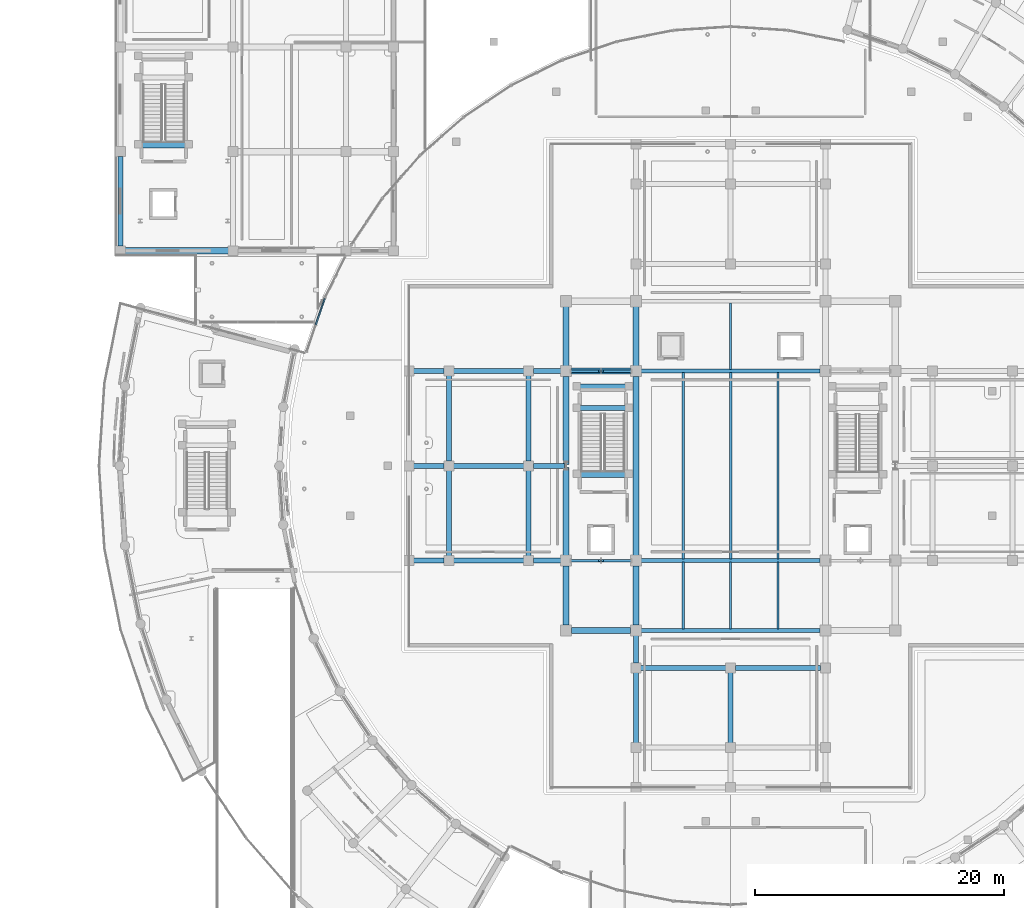
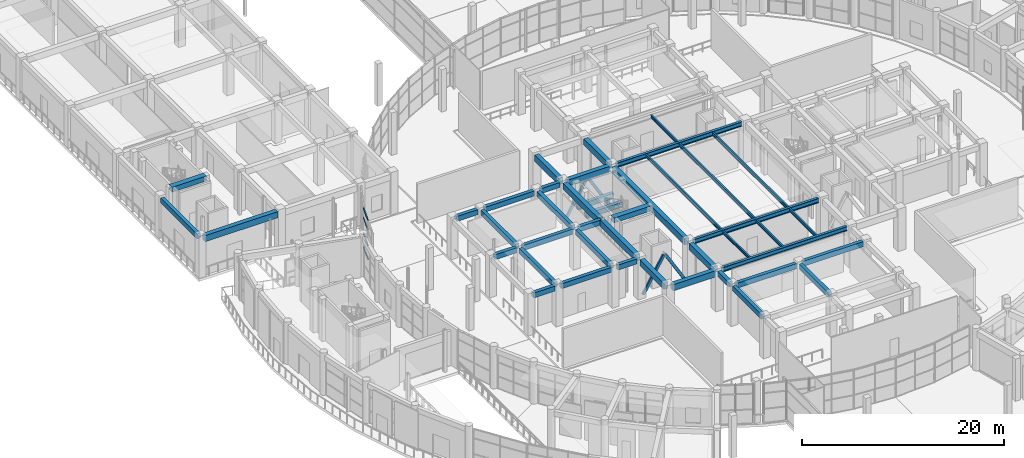
# One storey, part 34 of 99: 43 beams, 8 members, 1 element without a shape of its own.
"""IFC4 building model written with IfcOpenShell, lengths in metres."""

from ifc_helpers import new_model, si_unit, direction, frame, origin, origin_2d, place, context, subcontext, project, spatial, rectangle, hollow_rectangle, i_section, extrude, material, material_profile, profile_set, type_object, element, aggregate, save


model = new_model("IFC4")

# Units and contexts
model_context = context("Model", 3, precision=1e-05, world=origin(), true_north=direction((0.0, 1.0)))
body_context = subcontext(model_context, "Body", "Model", "MODEL_VIEW")
ifc_project = project(units=[si_unit("LENGTHUNIT", "METRE"), si_unit("AREAUNIT", "SQUARE_METRE"), si_unit("VOLUMEUNIT", "CUBIC_METRE"), si_unit("PLANEANGLEUNIT", "RADIAN"), si_unit("MASSUNIT", "GRAM", prefix="KILO")], contexts=[model_context])

# Site, building, storey
site_placement = place(None, origin())
site = spatial("IfcSite", under=ifc_project, at=site_placement, CompositionType="ELEMENT")
building_placement = place(site_placement, origin())
building = spatial("IfcBuilding", under=site, at=building_placement, Name="Saryqyr Civic Hall", CompositionType="ELEMENT")
storey_placement = place(building_placement, origin())
storey = spatial("IfcBuildingStorey", under=building, at=storey_placement, Name="L00", CompositionType="ELEMENT", Elevation=0.0)

# Curtain wall, members
ifc_material_1 = material(Name="Anodised aluminium and triple low-E glass", Category="aluminium")
curtain_wall_type = type_object("IfcCurtainWallType", Name="ENV-CW-STD-67", PredefinedType="NOTDEFINED", material=ifc_material_1)
curtain_wall_placement = place(storey_placement, origin())
curtain_wall = element("IfcCurtainWall", 1, at=curtain_wall_placement, inside=storey, type_object=curtain_wall_type, Name="Curtain wall V2-PERIM-CW-L00-21", PredefinedType="NOTDEFINED")
ifc_material_2 = material(Name="Anodised aluminium", Category="aluminium")
ifc_material_profile_1 = material_profile(ifc_material_2, rectangle(XDim=0.1201171875, YDim=0.06005859375, at=origin_2d()), Name="ALU TRANSOM 120x60")
ifc_profile_set_1 = profile_set([ifc_material_profile_1], Name="Anodised aluminium")
member_type_1 = type_object("IfcMemberType", Name="ENV-CW-TRN-150", PredefinedType="USERDEFINED", material=ifc_profile_set_1)
member_1_placement = place(storey_placement, frame((23.730224609375, 95.3251953125, 0.030029296875), z_axis=(0.321384650933, 0.946948734697, 0.0), x_axis=(-0.946948734697, 0.321384650933, 0.0)))
member_1 = element("IfcMember", 2, at=member_1_placement, type_object=member_type_1, Name="CW-67 transom 2.1", ObjectType="TRANSOM", PredefinedType="USERDEFINED", context=body_context, shape_type="SweptSolid", body=[
    extrude(rectangle(XDim=0.1201171875, YDim=0.06005859375, at=origin_2d()), origin(), (0.0, 0.0, 1.0), 2.213623046875),
])
member_2_placement = place(storey_placement, frame((23.730224609375, 95.3251953125, 1.7099609375), z_axis=(0.321384650933, 0.946948734697, 0.0), x_axis=(-0.946948734697, 0.321384650933, 0.0)))
member_2 = element("IfcMember", 3, at=member_2_placement, type_object=member_type_1, Name="CW-67 transom 2.2", ObjectType="TRANSOM", PredefinedType="USERDEFINED", context=body_context, shape_type="SweptSolid", body=[
    extrude(rectangle(XDim=0.1201171875, YDim=0.06005859375, at=origin_2d()), origin(), (0.0, 0.0, 1.0), 2.213623046875),
])
member_3_placement = place(storey_placement, frame((23.730224609375, 95.3251953125, 3.610107421875), z_axis=(0.321384650933, 0.946948734697, 0.0), x_axis=(-0.946948734697, 0.321384650933, 0.0)))
member_3 = element("IfcMember", 4, at=member_3_placement, type_object=member_type_1, Name="CW-67 transom 2.3", ObjectType="TRANSOM", PredefinedType="USERDEFINED", context=body_context, shape_type="SweptSolid", body=[
    extrude(rectangle(XDim=0.1201171875, YDim=0.06005859375, at=origin_2d()), origin(), (0.0, 0.0, 1.0), 2.213623046875),
])
member_4_placement = place(storey_placement, frame((23.730224609375, 95.3251953125, 4.719970703125), z_axis=(0.321384650933, 0.946948734697, 0.0), x_axis=(-0.946948734697, 0.321384650933, 0.0)))
member_4 = element("IfcMember", 5, at=member_4_placement, type_object=member_type_1, Name="CW-67 transom 2.4", ObjectType="TRANSOM", PredefinedType="USERDEFINED", context=body_context, shape_type="SweptSolid", body=[
    extrude(rectangle(XDim=0.1201171875, YDim=0.06005859375, at=origin_2d()), origin(), (0.0, 0.0, 1.0), 2.213623046875),
])
aggregate(curtain_wall, [member_1, member_2, member_3, member_4])

# Beams
ifc_material_3 = material(Name="Steel S355", Category="steel")
ifc_material_profile_2 = material_profile(ifc_material_3, i_section(OverallWidth=0.300048828125, OverallDepth=0.550048828125, WebThickness=0.014892578125, FlangeThickness=0.029052734375, at=origin_2d()), Name="HEB 550")
ifc_profile_set_2 = profile_set([ifc_material_profile_2], Name="Steel S355")
beam_type_1 = type_object("IfcBeamType", Name="STR-BM-HEB550", PredefinedType="BEAM", material=ifc_profile_set_2)
for number, where, z_axis, x_axis, name in (
    (6, (49.824951171875, 70.800048828125, 4.544921875), (1.0, 0.0, 0.0), (0.0, 1.0, 0.0), "Beam V1-GBM-EW1-L00"),
    (7, (49.824951171875, 76.39990234375, 4.544921875), (1.0, 0.0, 0.0), (0.0, 1.0, 0.0), "Beam V1-GBM-EW2-L00"),
    (8, (49.824951171875, 91.60009765625, 4.544921875), (1.0, 0.0, 0.0), (0.0, 1.0, 0.0), "Beam V1-GBM-EW3-L00"),
):
    element("IfcBeam", number, at=place(storey_placement, frame(where, z_axis=z_axis, x_axis=x_axis)), inside=storey, type_object=beam_type_1, Name=name, PredefinedType="BEAM", context=body_context, shape_type="SweptSolid", body=[
        extrude(i_section(OverallWidth=0.300048828125, OverallDepth=0.550048828125, WebThickness=0.014892578125, FlangeThickness=0.029052734375, at=origin_2d()), origin(), (0.0, 0.0, 1.0), 14.35009765625),
    ])
ifc_material_4 = material(Name="Concrete C35/45", Category="concrete")
ifc_material_profile_3 = material_profile(ifc_material_4, rectangle(XDim=0.39990234375, YDim=0.60009765625, at=origin_2d()), Name="RC 400x600")
ifc_profile_set_3 = profile_set([ifc_material_profile_3], Name="Concrete C35/45")
beam_type_2 = type_object("IfcBeamType", Name="STR-BM-RC400x600", PredefinedType="BEAM", material=ifc_profile_set_3)
for number, where, z_axis, x_axis, name in (
    (9, (31.574951171875, 76.39990234375, 4.52001953125), (1.0, 0.0, 0.0), (0.0, 1.0, 0.0), "Beam V1-TBM-01-L00"),
    (10, (31.574951171875, 84.0, 4.52001953125), (1.0, 0.0, 0.0), (0.0, 1.0, 0.0), "Beam V1-TBM-02-L00"),
    (11, (31.574951171875, 91.60009765625, 4.52001953125), (1.0, 0.0, 0.0), (0.0, 1.0, 0.0), "Beam V1-TBM-03-L00"),
):
    element("IfcBeam", number, at=place(storey_placement, frame(where, z_axis=z_axis, x_axis=x_axis)), inside=storey, type_object=beam_type_2, Name=name, PredefinedType="BEAM", context=body_context, shape_type="SweptSolid", body=[
        extrude(rectangle(XDim=0.39990234375, YDim=0.60009765625, at=origin_2d()), origin(), (0.0, 0.0, 1.0), 2.449951171875),
    ])
for number, where, z_axis, x_axis, name in (
    (12, (34.77490234375, 76.39990234375, 4.52001953125), (1.0, 0.0, 0.0), (0.0, 1.0, 0.0), "Beam V1-TBM-21-L00"),
    (13, (34.77490234375, 84.0, 4.52001953125), (1.0, 0.0, 0.0), (0.0, 1.0, 0.0), "Beam V1-TBM-22-L00"),
    (14, (34.77490234375, 91.60009765625, 4.52001953125), (1.0, 0.0, 0.0), (0.0, 1.0, 0.0), "Beam V1-TBM-23-L00"),
    (15, (49.39990234375, 61.77490234375, 4.52001953125), (0.0, 1.0, 0.0), (-1.0, 0.0, 0.0), "Beam V1-TBM-27-L00"),
    (16, (57.0, 61.77490234375, 4.52001953125), (0.0, 1.0, 0.0), (-1.0, 0.0, 0.0), "Beam V1-TBM-28-L00"),
):
    element("IfcBeam", number, at=place(storey_placement, frame(where, z_axis=z_axis, x_axis=x_axis)), inside=storey, type_object=beam_type_2, Name=name, PredefinedType="BEAM", context=body_context, shape_type="SweptSolid", body=[
        extrude(rectangle(XDim=0.39990234375, YDim=0.60009765625, at=origin_2d()), origin(), (0.0, 0.0, 1.0), 5.650146484375),
    ])
for number, where, z_axis, x_axis, name in (
    (17, (34.39990234375, 76.77490234375, 4.52001953125), (0.0, 1.0, 0.0), (-1.0, 0.0, 0.0), "Beam V1-TBM-33-L00"),
    (18, (34.39990234375, 84.375, 4.52001953125), (0.0, 1.0, 0.0), (-1.0, 0.0, 0.0), "Beam V1-TBM-34-L00"),
):
    element("IfcBeam", number, at=place(storey_placement, frame(where, z_axis=z_axis, x_axis=x_axis)), inside=storey, type_object=beam_type_2, Name=name, PredefinedType="BEAM", context=body_context, shape_type="SweptSolid", body=[
        extrude(rectangle(XDim=0.39990234375, YDim=0.60009765625, at=origin_2d()), origin(), (0.0, 0.0, 1.0), 6.85009765625),
    ])
beam_1_placement = place(storey_placement, frame((41.175048828125, 76.39990234375, 4.52001953125), z_axis=(1.0, 0.0, 0.0), x_axis=(0.0, 1.0, 0.0)))
element("IfcBeam", 19, at=beam_1_placement, inside=storey, type_object=beam_type_2, Name="Beam V1-TBM-41-L00", PredefinedType="BEAM", context=body_context, shape_type="SweptSolid", body=[
    extrude(rectangle(XDim=0.39990234375, YDim=0.60009765625, at=origin_2d()), origin(), (0.0, 0.0, 1.0), 2.199951171875),
])
beam_2_placement = place(storey_placement, frame((41.175048828125, 84.0, 4.52001953125), z_axis=(1.0, 0.0, 0.0), x_axis=(0.0, 1.0, 0.0)))
element("IfcBeam", 20, at=beam_2_placement, inside=storey, type_object=beam_type_2, Name="Beam V1-TBM-42-L00", PredefinedType="BEAM", context=body_context, shape_type="SweptSolid", body=[
    extrude(rectangle(XDim=0.39990234375, YDim=0.60009765625, at=origin_2d()), origin(), (0.0, 0.0, 1.0), 2.5),
])
for number, where, z_axis, x_axis, name in (
    (21, (41.175048828125, 91.60009765625, 4.52001953125), (1.0, 0.0, 0.0), (0.0, 1.0, 0.0), "Beam V1-TBM-43-L00"),
    (22, (49.39990234375, 68.175048828125, 4.52001953125), (0.0, 1.0, 0.0), (-1.0, 0.0, 0.0), "Beam V1-TBM-47-L00"),
):
    element("IfcBeam", number, at=place(storey_placement, frame(where, z_axis=z_axis, x_axis=x_axis)), inside=storey, type_object=beam_type_2, Name=name, PredefinedType="BEAM", context=body_context, shape_type="SweptSolid", body=[
        extrude(rectangle(XDim=0.39990234375, YDim=0.60009765625, at=origin_2d()), origin(), (0.0, 0.0, 1.0), 2.199951171875),
    ])
for number, where, z_axis, x_axis, name in (
    (23, (40.800048828125, 76.77490234375, 4.52001953125), (0.0, 1.0, 0.0), (-1.0, 0.0, 0.0), "Beam V1-TBM-51-L00"),
    (24, (40.800048828125, 84.375, 4.52001953125), (0.0, 1.0, 0.0), (-1.0, 0.0, 0.0), "Beam V1-TBM-52-L00"),
    (25, (49.77490234375, 67.800048828125, 4.52001953125), (1.0, 0.0, 0.0), (0.0, 1.0, 0.0), "Beam V1-TBM-55-L00"),
    (26, (57.375, 67.800048828125, 4.52001953125), (1.0, 0.0, 0.0), (0.0, 1.0, 0.0), "Beam V1-TBM-56-L00"),
):
    element("IfcBeam", number, at=place(storey_placement, frame(where, z_axis=z_axis, x_axis=x_axis)), inside=storey, type_object=beam_type_2, Name=name, PredefinedType="BEAM", context=body_context, shape_type="SweptSolid", body=[
        extrude(rectangle(XDim=0.39990234375, YDim=0.60009765625, at=origin_2d()), origin(), (0.0, 0.0, 1.0), 6.85009765625),
    ])
beam_3_placement = place(storey_placement, frame((8.050048828125, 101.625, 4.52001953125), z_axis=(0.0, 1.0, 0.0), x_axis=(-1.0, 0.0, 0.0)))
element("IfcBeam", 27, at=beam_3_placement, inside=storey, type_object=beam_type_2, Name="Beam V3-BM-NS-1-1-L00", PredefinedType="BEAM", context=body_context, shape_type="SweptSolid", body=[
    extrude(rectangle(XDim=0.39990234375, YDim=0.60009765625, at=origin_2d()), origin(), (0.0, 0.0, 1.0), 7.199951171875),
])
for number, where, z_axis, x_axis, name in (
    (28, (48.800048828125, 88.64990234375, 2.050048828125), (-1.0, 0.0, 0.0), (0.0, -1.0, 0.0), "Stair half-landing support beam ST-1-LND1-L00"),
    (29, (48.800048828125, 90.3798828125, 2.050048828125), (-1.0, 0.0, 0.0), (0.0, -1.0, 0.0), "Stair half-landing support beam ST-1-LND2-L00"),
):
    element("IfcBeam", number, at=place(storey_placement, frame(where, z_axis=z_axis, x_axis=x_axis)), inside=storey, type_object=beam_type_2, Name=name, PredefinedType="BEAM", context=body_context, shape_type="SweptSolid", body=[
        extrude(rectangle(XDim=0.39990234375, YDim=0.60009765625, at=origin_2d()), origin(), (0.0, 0.0, 1.0), 4.10009765625),
    ])
ifc_material_5 = material(Name="Concrete C40/50", Category="concrete")
ifc_material_profile_4 = material_profile(ifc_material_5, rectangle(XDim=0.5, YDim=0.75, at=origin_2d()), Name="RC 500x750")
ifc_profile_set_4 = profile_set([ifc_material_profile_4], Name="Concrete C40/50")
beam_type_3 = type_object("IfcBeamType", Name="STR-BM-RC500x750", PredefinedType="BEAM", material=ifc_profile_set_4)
for number, where, z_axis, x_axis, name in (
    (30, (44.22509765625, 70.800048828125, 4.445068359375), (1.0, 0.0, 0.0), (0.0, 1.0, 0.0), "Beam V1-WBM-W1-L00"),
    (31, (44.22509765625, 91.60009765625, 4.445068359375), (1.0, 0.0, 0.0), (0.0, 1.0, 0.0), "Beam V1-WBM-W3-L00"),
    (32, (43.800048828125, 71.22509765625, 4.445068359375), (0.0, 1.0, 0.0), (-1.0, 0.0, 0.0), "Beam V1-BM-NS11-L00"),
):
    element("IfcBeam", number, at=place(storey_placement, frame(where, z_axis=z_axis, x_axis=x_axis)), inside=storey, type_object=beam_type_3, Name=name, PredefinedType="BEAM", context=body_context, shape_type="SweptSolid", body=[
        extrude(rectangle(XDim=0.5, YDim=0.75, at=origin_2d()), origin(), (0.0, 0.0, 1.0), 4.75),
    ])
for number, where, z_axis, x_axis, name in (
    (33, (43.800048828125, 76.824951171875, 4.445068359375), (0.0, 1.0, 0.0), (-1.0, 0.0, 0.0), "Beam V1-BM-NS1A-L00"),
    (34, (43.800048828125, 84.125, 4.445068359375), (0.0, 1.0, 0.0), (-1.0, 0.0, 0.0), "Beam V1-BM-NS1B-L00"),
):
    element("IfcBeam", number, at=place(storey_placement, frame(where, z_axis=z_axis, x_axis=x_axis)), inside=storey, type_object=beam_type_3, Name=name, PredefinedType="BEAM", context=body_context, shape_type="SweptSolid", body=[
        extrude(rectangle(XDim=0.5, YDim=0.75, at=origin_2d()), origin(), (0.0, 0.0, 1.0), 7.050048828125),
    ])
for number, where, z_axis, x_axis, name in (
    (35, (43.800048828125, 92.02490234375, 4.445068359375), (0.0, 1.0, 0.0), (-1.0, 0.0, 0.0), "Beam V1-BM-NS13-L00"),
    (36, (49.39990234375, 71.22509765625, 4.445068359375), (0.0, 1.0, 0.0), (-1.0, 0.0, 0.0), "Beam V1-BM-NS21-L00"),
):
    element("IfcBeam", number, at=place(storey_placement, frame(where, z_axis=z_axis, x_axis=x_axis)), inside=storey, type_object=beam_type_3, Name=name, PredefinedType="BEAM", context=body_context, shape_type="SweptSolid", body=[
        extrude(rectangle(XDim=0.5, YDim=0.75, at=origin_2d()), origin(), (0.0, 0.0, 1.0), 4.75),
    ])
beam_4_placement = place(storey_placement, frame((49.39990234375, 76.824951171875, 4.445068359375), z_axis=(0.0, 1.0, 0.0), x_axis=(-1.0, 0.0, 0.0)))
element("IfcBeam", 37, at=beam_4_placement, inside=storey, type_object=beam_type_3, Name="Beam V1-BM-NS22-L00", PredefinedType="BEAM", context=body_context, shape_type="SweptSolid", body=[
    extrude(rectangle(XDim=0.5, YDim=0.75, at=origin_2d()), origin(), (0.0, 0.0, 1.0), 14.35009765625),
])
beam_5_placement = place(storey_placement, frame((49.39990234375, 92.02490234375, 4.445068359375), z_axis=(0.0, 1.0, 0.0), x_axis=(-1.0, 0.0, 0.0)))
element("IfcBeam", 38, at=beam_5_placement, inside=storey, type_object=beam_type_3, Name="Beam V1-BM-NS23-L00", PredefinedType="BEAM", context=body_context, shape_type="SweptSolid", body=[
    extrude(rectangle(XDim=0.5, YDim=0.75, at=origin_2d()), origin(), (0.0, 0.0, 1.0), 4.75),
])
beam_6_placement = place(storey_placement, frame((8.425048828125, 101.25, 4.445068359375), z_axis=(1.0, 0.0, 0.0), x_axis=(0.0, 1.0, 0.0)))
element("IfcBeam", 39, at=beam_6_placement, inside=storey, type_object=beam_type_3, Name="Beam V3-BM-EW-1-1-L00", PredefinedType="BEAM", context=body_context, shape_type="SweptSolid", body=[
    extrude(rectangle(XDim=0.5, YDim=0.75, at=origin_2d()), origin(), (0.0, 0.0, 1.0), 8.300048828125),
])
ifc_material_profile_5 = material_profile(ifc_material_5, rectangle(XDim=0.60009765625, YDim=0.60009765625, at=origin_2d()), Name="RC 600x600")
ifc_profile_set_5 = profile_set([ifc_material_profile_5], Name="Concrete C40/50")
beam_type_4 = type_object("IfcBeamType", Name="STR-BM-RC600x600", PredefinedType="BEAM", material=ifc_profile_set_5)
beam_7_placement = place(storey_placement, frame((48.800048828125, 83.364990234375, 4.800048828125), z_axis=(-1.0, 0.0, 0.0), x_axis=(0.0, -1.0, 0.0)))
element("IfcBeam", 40, at=beam_7_placement, inside=storey, type_object=beam_type_4, Name="Stair well trimmer beam ST-1-L01", PredefinedType="BEAM", context=body_context, shape_type="SweptSolid", body=[
    extrude(rectangle(XDim=0.60009765625, YDim=0.60009765625, at=origin_2d()), origin(), (0.0, 0.0, 1.0), 4.10009765625),
])
beam_8_placement = place(storey_placement, frame((13.5, 109.794921875, 4.800048828125), z_axis=(-1.0, 0.0, 0.0), x_axis=(0.0, -1.0, 0.0)))
element("IfcBeam", 41, at=beam_8_placement, inside=storey, type_object=beam_type_4, Name="Stair well trimmer beam ST-3-L01", PredefinedType="BEAM", context=body_context, shape_type="SweptSolid", body=[
    extrude(rectangle(XDim=0.60009765625, YDim=0.60009765625, at=origin_2d()), origin(), (0.0, 0.0, 1.0), 3.9599609375),
])

# Members
ifc_material_profile_6 = material_profile(ifc_material_3, hollow_rectangle(XDim=0.199951171875, YDim=0.300048828125, WallThickness=0.01611328125, at=origin_2d()), Name="RHS 300x200x16")
ifc_profile_set_6 = profile_set([ifc_material_profile_6], Name="Steel S355")
member_type_2 = type_object("IfcMemberType", Name="STR-BR-RHS300", PredefinedType="BRACE", material=ifc_profile_set_6)
for number, where, z_axis, x_axis, name in (
    (42, (44.159912109375, 76.39990234375, 0.1201171875), (0.51005836124, 0.0, 0.86013979569), (0.0, 1.0, 0.0), "Seismic chevron brace 1A L00"),
    (43, (49.0400390625, 76.39990234375, 0.1201171875), (-0.51005836124, 0.0, 0.86013979569), (0.0, -1.0, 0.0), "Seismic chevron brace 1B L00"),
    (44, (44.159912109375, 91.60009765625, 0.1201171875), (0.51005836124, 0.0, 0.86013979569), (0.0, 1.0, 0.0), "Seismic chevron brace 3A L00"),
    (45, (49.0400390625, 91.60009765625, 0.1201171875), (-0.51005836124, 0.0, 0.86013979569), (0.0, -1.0, 0.0), "Seismic chevron brace 3B L00"),
):
    element("IfcMember", number, at=place(storey_placement, frame(where, z_axis=z_axis, x_axis=x_axis)), inside=storey, type_object=member_type_2, Name=name, PredefinedType="BRACE", context=body_context, shape_type="SweptSolid", body=[
        extrude(hollow_rectangle(XDim=0.199951171875, YDim=0.300048828125, WallThickness=0.01611328125, at=origin_2d()), origin(), (0.0, 0.0, 1.0), 4.627197265625),
    ])

# Beams
ifc_material_profile_7 = material_profile(ifc_material_3, i_section(OverallWidth=0.169921875, OverallDepth=0.360107421875, WebThickness=0.008056640625, FlangeThickness=0.0126953125, at=origin_2d()), Name="IPE 360")
ifc_profile_set_7 = profile_set([ifc_material_profile_7], Name="Steel S355")
beam_type_5 = type_object("IfcBeamType", Name="STR-JST-IPE360", PredefinedType="JOIST", material=ifc_profile_set_7)
for number, where, z_axis, x_axis, name in (
    (46, (53.199951171875, 70.929931640625, 4.639892578125), (0.0, 1.0, 0.0), (-1.0, 0.0, 0.0), "Beam V1-JST-1-1-L00"),
    (47, (57.0, 70.929931640625, 4.639892578125), (0.0, 1.0, 0.0), (-1.0, 0.0, 0.0), "Beam V1-JST-2-1-L00"),
    (48, (57.0, 91.72998046875, 4.639892578125), (0.0, 1.0, 0.0), (-1.0, 0.0, 0.0), "Beam V1-JST-2-3-L00"),
    (49, (60.800048828125, 70.929931640625, 4.639892578125), (0.0, 1.0, 0.0), (-1.0, 0.0, 0.0), "Beam V1-JST-3-1-L00"),
):
    element("IfcBeam", number, at=place(storey_placement, frame(where, z_axis=z_axis, x_axis=x_axis)), inside=storey, type_object=beam_type_5, Name=name, PredefinedType="JOIST", context=body_context, shape_type="SweptSolid", body=[
        extrude(i_section(OverallWidth=0.169921875, OverallDepth=0.360107421875, WebThickness=0.008056640625, FlangeThickness=0.0126953125, at=origin_2d()), origin(), (0.0, 0.0, 1.0), 5.340087890625),
    ])
ifc_material_profile_8 = material_profile(ifc_material_3, i_section(OverallWidth=0.179931640625, OverallDepth=0.39990234375, WebThickness=0.008544921875, FlangeThickness=0.013427734375, at=origin_2d()), Name="IPE 400")
ifc_profile_set_8 = profile_set([ifc_material_profile_8], Name="Steel S355")
beam_type_6 = type_object("IfcBeamType", Name="STR-JST-IPE400", PredefinedType="JOIST", material=ifc_profile_set_8)
for number, where, z_axis, x_axis, name in (
    (50, (53.199951171875, 76.530029296875, 4.6201171875), (0.0, 1.0, 0.0), (-1.0, 0.0, 0.0), "Beam V1-JST-1-2-L00"),
    (51, (57.0, 76.530029296875, 4.6201171875), (0.0, 1.0, 0.0), (-1.0, 0.0, 0.0), "Beam V1-JST-2-2-L00"),
    (52, (60.800048828125, 76.530029296875, 4.6201171875), (0.0, 1.0, 0.0), (-1.0, 0.0, 0.0), "Beam V1-JST-3-2-L00"),
):
    element("IfcBeam", number, at=place(storey_placement, frame(where, z_axis=z_axis, x_axis=x_axis)), inside=storey, type_object=beam_type_6, Name=name, PredefinedType="JOIST", context=body_context, shape_type="SweptSolid", body=[
        extrude(i_section(OverallWidth=0.179931640625, OverallDepth=0.39990234375, WebThickness=0.008544921875, FlangeThickness=0.013427734375, at=origin_2d()), origin(), (0.0, 0.0, 1.0), 14.93994140625),
    ])

save(model, "model.ifc")
